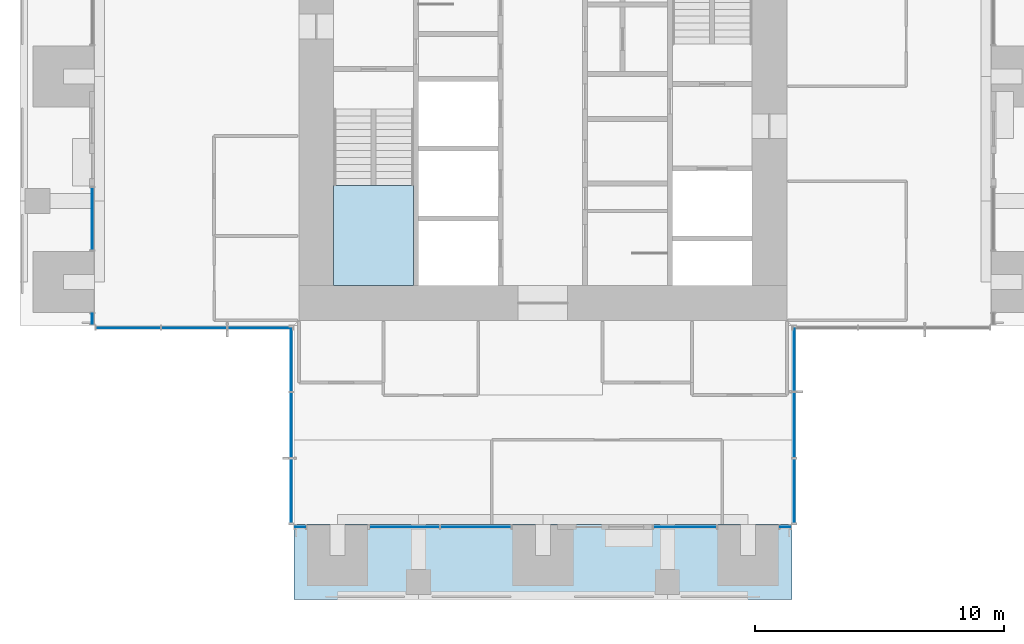
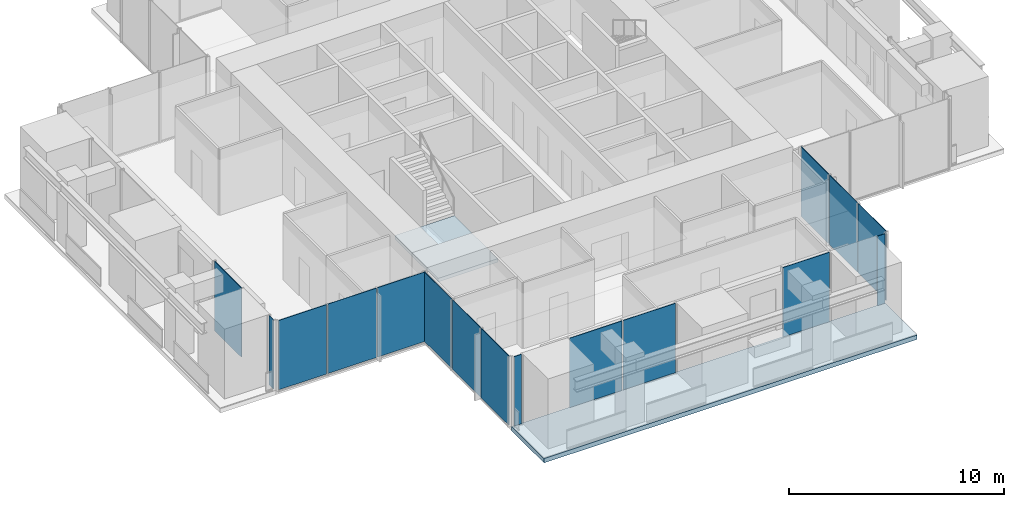
# One storey, part 7 of 17: 16 plates, 2 slabs, 10 elements without a shape of their own.
"""IFC4 building model written with IfcOpenShell, lengths in metres."""

import ifcopenshell
import ifcopenshell.guid

model = None  # the IFC model being written
_history = None  # IfcOwnerHistory: only IFC2X3 demands one
_inside = {}  # id of a spatial element -> (the spatial element, [elements in it])
_under = {}  # id of a project, library or spatial element -> (it, [spatial elements below it])
_declared = {}  # id of a project -> (the project, [libraries it declares])
_typed = {}  # id of a type object -> (the type object, [elements of that type])
_made_of = {}  # id of a material, layer set ... -> (it, [elements and type objects made of it])


def new_model(schema):
    """Start an empty IFC model of exactly this schema.

    Asked for "IFC4X3", IfcOpenShell would pick the latest addendum, in which some entities
    have other attributes; the version numbers below select the first issue.
    IFC2X3 requires an IfcOwnerHistory on every rooted entity: one is made here for all.
    """
    global model, _history
    if schema == "IFC4X3":
        model = ifcopenshell.file(schema_version=(4, 3, 0, 0))
    else:
        model = ifcopenshell.file(schema=schema)
    _inside.clear()
    _under.clear()
    _declared.clear()
    _typed.clear()
    _made_of.clear()
    _history = None
    if model.schema == "IFC2X3":
        org = make("IfcOrganization", Name="unknown")
        user = make(
            "IfcPersonAndOrganization",
            ThePerson=make("IfcPerson", FamilyName="unknown"),
            TheOrganization=org,
        )
        app = make(
            "IfcApplication",
            ApplicationDeveloper=org,
            Version="unknown",
            ApplicationFullName="unknown",
            ApplicationIdentifier="unknown",
        )
        _history = make(
            "IfcOwnerHistory",
            OwningUser=user,
            OwningApplication=app,
            ChangeAction="ADDED",
            CreationDate=0,
        )
    return model


def make(cls, **values):
    """One entity of the class cls with the attributes given. An attribute that is None is left unset."""
    return model.create_entity(
        cls, **{name: value for name, value in values.items() if value is not None}
    )


def rooted(cls, **values):
    """An entity with a GlobalId (a new one), such as an element, a storey or a relation."""
    return make(cls, GlobalId=ifcopenshell.guid.new(), OwnerHistory=_history, **values)


def si_unit(unit_type, name, prefix=None):
    """IfcSIUnit, for example si_unit("LENGTHUNIT", "METRE", prefix="MILLI")."""
    return make("IfcSIUnit", UnitType=unit_type, Prefix=prefix, Name=name)


def assignment(units):
    """IfcUnitAssignment: the units of a project."""
    return None if units is None else make("IfcUnitAssignment", Units=units)


def point(xyz):
    """IfcCartesianPoint."""
    return None if xyz is None else make("IfcCartesianPoint", Coordinates=xyz)


def direction(xyz):
    """IfcDirection."""
    return None if xyz is None else make("IfcDirection", DirectionRatios=xyz)


def frame(location, z_axis=None, x_axis=None):
    """IfcAxis2Placement3D, a coordinate frame: its origin and axes. An axis left out is left unset."""
    return make(
        "IfcAxis2Placement3D",
        Location=point(location),
        Axis=direction(z_axis),
        RefDirection=direction(x_axis),
    )


def frame_2d(location, x_axis=None):
    """IfcAxis2Placement2D, a coordinate frame in the plane: its origin and x axis."""
    return make(
        "IfcAxis2Placement2D", Location=point(location), RefDirection=direction(x_axis)
    )


def origin():
    """The frame at (0, 0, 0) with its axes left unset."""
    return frame((0.0, 0.0, 0.0))


def origin_2d():
    """The frame at (0, 0) in the plane with its x axis left unset."""
    return frame_2d((0.0, 0.0))


def place(relative_to, where):
    """IfcLocalPlacement: puts the frame where relative to a parent placement (None: the world)."""
    return make(
        "IfcLocalPlacement", PlacementRelTo=relative_to, RelativePlacement=where
    )


def context(
    kind, dimensions, precision=None, world=None, true_north=None, identifier=None
):
    """IfcGeometricRepresentationContext, for example the 3D "Model" context."""
    return make(
        "IfcGeometricRepresentationContext",
        ContextIdentifier=identifier,
        ContextType=kind,
        CoordinateSpaceDimension=dimensions,
        Precision=precision,
        WorldCoordinateSystem=world,
        TrueNorth=true_north,
    )


def subcontext(parent, identifier, kind, view, scale=None):
    """IfcGeometricRepresentationSubContext, for example "Body" below "Model"."""
    return make(
        "IfcGeometricRepresentationSubContext",
        ContextIdentifier=identifier,
        ContextType=kind,
        ParentContext=parent,
        TargetScale=scale,
        TargetView=view,
    )


def project(units=None, contexts=None):
    """IfcProject with its units and contexts."""
    return rooted(
        "IfcProject",
        Name="project",
        RepresentationContexts=contexts,
        UnitsInContext=assignment(units),
    )


def spatial(cls, under=None, at=None, **own):
    """A site, building, storey or space (cls), placed at a placement, below another one or the project."""
    s = rooted(cls, ObjectPlacement=at, **own)
    if under is not None:
        _under.setdefault(under.id(), (under, []))[1].append(s)
    return s


def polyline(points):
    """IfcPolyline through the points."""
    return make("IfcPolyline", Points=[point(p) for p in points])


def profile(cls, at=None, kind="AREA", **sizes):
    """A parametric profile (cls). Its sizes go by their IFC names, for example OverallWidth=200.0."""
    return make(cls, ProfileType=kind, Position=at, **sizes)


def rectangle(**sizes):
    """IfcRectangleProfileDef."""
    return profile("IfcRectangleProfileDef", **sizes)


def outline(outer, holes=None, kind="AREA"):
    """IfcArbitraryClosedProfileDef: a profile drawn as a closed curve; with holes, ...WithVoids."""
    if holes is None:
        return make("IfcArbitraryClosedProfileDef", ProfileType=kind, OuterCurve=outer)
    return make(
        "IfcArbitraryProfileDefWithVoids",
        ProfileType=kind,
        OuterCurve=outer,
        InnerCurves=holes,
    )


def extrude(swept, where, along, depth):
    """IfcExtrudedAreaSolid: the profile swept, set in the frame where, extruded along a direction by depth."""
    return make(
        "IfcExtrudedAreaSolid",
        SweptArea=swept,
        Position=where,
        ExtrudedDirection=direction(along),
        Depth=depth,
    )


def shape(context_of_items, identifier, shape_type, items):
    """IfcShapeRepresentation: the items that make up one representation, for example the "Body"."""
    return make(
        "IfcShapeRepresentation",
        ContextOfItems=context_of_items,
        RepresentationIdentifier=identifier,
        RepresentationType=shape_type,
        Items=items,
    )


def material(Name=None, Category=None):
    """IfcMaterial."""
    return make("IfcMaterial", Name=Name, Category=Category)


def layer(
    of_material, thickness, ventilated=None, Name=None, Category=None, Priority=None
):
    """IfcMaterialLayer: one layer of a wall or slab, of a material (None: an air gap)."""
    return make(
        "IfcMaterialLayer",
        Material=of_material,
        LayerThickness=thickness,
        IsVentilated=ventilated,
        Name=Name,
        Category=Category,
        Priority=Priority,
    )


def layer_set(layers, Name=None):
    """IfcMaterialLayerSet."""
    return make("IfcMaterialLayerSet", MaterialLayers=layers, LayerSetName=Name)


def made_of(thing, what):
    """Note that an element or type object is made of a material, layer set ...; save() writes the relation."""
    if what is not None:
        _made_of.setdefault(what.id(), (what, []))[1].append(thing)
    return thing


def type_object(cls, material=None, **own):
    """A type object (cls), such as IfcWallType, which elements share."""
    return made_of(rooted(cls, **own), material)


def element(
    cls,
    number,
    at=None,
    inside=None,
    cuts=None,
    type_object=None,
    material=None,
    context=None,
    identifier="Body",
    shape_type=None,
    held_by="IfcProductDefinitionShape",
    body=None,
    shapes=None,
    **own,
):
    """One element of the class cls, such as IfcWall. Its Tag is "e" and its number.

    at: its placement. inside: the storey or other place that contains it. cuts: it is an
    opening in that element (IfcRelVoidsElement). A single representation is given by context,
    identifier, shape_type and body (its items); several are given by shapes. held_by: the class
    of the entity that holds the representations. save() writes the other relations.
    """
    e = rooted(cls, Tag="e%d" % number, ObjectPlacement=at, **own)
    if body is not None:
        shapes = [shape(context, identifier, shape_type, body)]
    if shapes is not None:
        e.Representation = make(held_by, Representations=shapes)
    if inside is not None:
        _inside.setdefault(inside.id(), (inside, []))[1].append(e)
    if cuts is not None:
        rooted(
            "IfcRelVoidsElement", RelatingBuildingElement=cuts, RelatedOpeningElement=e
        )
    if type_object is not None:
        _typed.setdefault(type_object.id(), (type_object, []))[1].append(e)
    return made_of(e, material)


def aggregate(whole, parts):
    """IfcRelAggregates: a whole, such as a stair, and the parts it consists of."""
    return rooted("IfcRelAggregates", RelatingObject=whole, RelatedObjects=parts)


def save(model, path):
    """Write the relations noted so far, then the file.

    IfcRelAggregates (storeys below a building ...), IfcRelContainedInSpatialStructure (elements
    in a storey), IfcRelDefinesByType, IfcRelAssociatesMaterial and IfcRelDeclares: one each for
    every whole, place, type object, material and project.
    """
    for whole, parts in _under.values():
        aggregate(whole, parts)
    for where, things in _inside.values():
        rooted(
            "IfcRelContainedInSpatialStructure",
            RelatedElements=things,
            RelatingStructure=where,
        )
    for kind, things in _typed.values():
        rooted("IfcRelDefinesByType", RelatedObjects=things, RelatingType=kind)
    for what, things in _made_of.values():
        rooted("IfcRelAssociatesMaterial", RelatedObjects=things, RelatingMaterial=what)
    for by, libraries in _declared.values():
        rooted("IfcRelDeclares", RelatingContext=by, RelatedDefinitions=libraries)
    model.write(path)


model = new_model("IFC4")

# Units and contexts
model_context = context("Model", 3, precision=1e-05, world=origin(), true_north=direction((0.0, 1.0)))
body_context = subcontext(model_context, "Body", "Model", "MODEL_VIEW")
ifc_project = project(units=[si_unit("LENGTHUNIT", "METRE"), si_unit("AREAUNIT", "SQUARE_METRE"), si_unit("VOLUMEUNIT", "CUBIC_METRE"), si_unit("PLANEANGLEUNIT", "RADIAN"), si_unit("MASSUNIT", "GRAM", prefix="KILO")], contexts=[model_context])

# Site, building, storey
site_placement = place(None, origin())
site = spatial("IfcSite", under=ifc_project, at=site_placement, CompositionType="ELEMENT")
building_placement = place(site_placement, origin())
building = spatial("IfcBuilding", under=site, at=building_placement, Name="Svetlomir Tower", CompositionType="ELEMENT")
storey_placement = place(building_placement, frame((0.0, 0.0, 194.5)))
storey = spatial("IfcBuildingStorey", under=building, at=storey_placement, Name="L46", CompositionType="ELEMENT", Elevation=194.5)

# Curtain wall, plate
ifc_material_1 = material(Name="Bronze anodised aluminium curtain wall", Category="aluminium")
curtain_wall_type = type_object("IfcCurtainWallType", Name="CURTAIN WALL CW1 TOWER OFFICE", PredefinedType="NOTDEFINED", material=ifc_material_1)
curtain_wall_1_placement = place(storey_placement, origin())
curtain_wall_1 = element("IfcCurtainWall", 1, at=curtain_wall_1_placement, inside=storey, type_object=curtain_wall_type, Name="Curtain wall CW1 L46", PredefinedType="NOTDEFINED")
ifc_material_2 = material(Name="Tinted double glazed unit", Category="glass")
ifc_layer_1 = layer(ifc_material_2, 0.031982421875)
ifc_layer_set_1 = layer_set([ifc_layer_1], Name="Tinted double glazed unit")
plate_type = type_object("IfcPlateType", Name="CW1 GLAZED PANEL 32", PredefinedType="CURTAIN_PANEL", material=ifc_layer_set_1)
plate_1_placement = place(storey_placement, frame((11.262451171875, 2.89990234375, 0.06494140625), z_axis=(0.0, 0.0, 1.0), x_axis=(1.0, 0.0, 0.0)))
plate_1 = element("IfcPlate", 2, at=plate_1_placement, type_object=plate_type, Name="CW1 panel 1.1", PredefinedType="CURTAIN_PANEL", context=body_context, shape_type="SweptSolid", body=[
    extrude(rectangle(XDim=0.39501953125, YDim=0.031982421875, at=origin_2d()), origin(), (0.0, 0.0, 1.0), 3.93505859375),
])
aggregate(curtain_wall_1, [plate_1])

# Curtain wall, plates
curtain_wall_2_placement = place(storey_placement, origin())
curtain_wall_2 = element("IfcCurtainWall", 3, at=curtain_wall_2_placement, inside=storey, type_object=curtain_wall_type, Name="Curtain wall CW1 L46", PredefinedType="NOTDEFINED")
plate_2_placement = place(storey_placement, frame((15.441162109375, 2.89990234375, 0.06494140625), z_axis=(0.0, 0.0, 1.0), x_axis=(1.0, 0.0, 0.0)))
plate_2 = element("IfcPlate", 4, at=plate_2_placement, type_object=plate_type, Name="CW1 panel 1.1", PredefinedType="CURTAIN_PANEL", context=body_context, shape_type="SweptSolid", body=[
    extrude(rectangle(XDim=2.802490234375, YDim=0.031982421875, at=origin_2d()), origin(), (0.0, 0.0, 1.0), 3.93505859375),
])
plate_3_placement = place(storey_placement, frame((18.308837890625, 2.89990234375, 0.06494140625), z_axis=(0.0, 0.0, 1.0), x_axis=(1.0, 0.0, 0.0)))
plate_3 = element("IfcPlate", 5, at=plate_3_placement, type_object=plate_type, Name="CW1 panel 2.1", PredefinedType="CURTAIN_PANEL", context=body_context, shape_type="SweptSolid", body=[
    extrude(rectangle(XDim=2.802490234375, YDim=0.031982421875, at=origin_2d()), origin(), (0.0, 0.0, 1.0), 3.93505859375),
])
aggregate(curtain_wall_2, [plate_2, plate_3])

# Curtain wall, plate
curtain_wall_3_placement = place(storey_placement, origin())
curtain_wall_3 = element("IfcCurtainWall", 6, at=curtain_wall_3_placement, inside=storey, type_object=curtain_wall_type, Name="Curtain wall CW1 L46", PredefinedType="NOTDEFINED")
plate_4_placement = place(storey_placement, frame((26.71240234375, 2.89990234375, 0.06494140625), z_axis=(0.0, 0.0, 1.0), x_axis=(1.0, 0.0, 0.0)))
plate_4 = element("IfcPlate", 7, at=plate_4_placement, type_object=plate_type, Name="CW1 panel 1.1", PredefinedType="CURTAIN_PANEL", context=body_context, shape_type="SweptSolid", body=[
    extrude(rectangle(XDim=2.4951171875, YDim=0.031982421875, at=origin_2d()), origin(), (0.0, 0.0, 1.0), 3.93505859375),
])
aggregate(curtain_wall_3, [plate_4])

curtain_wall_4_placement = place(storey_placement, origin())
curtain_wall_4 = element("IfcCurtainWall", 8, at=curtain_wall_4_placement, inside=storey, type_object=curtain_wall_type, Name="Curtain wall CW1 L46", PredefinedType="NOTDEFINED")
plate_5_placement = place(storey_placement, frame((30.737548828125, 2.89990234375, 0.06494140625), z_axis=(0.0, 0.0, 1.0), x_axis=(1.0, 0.0, 0.0)))
plate_5 = element("IfcPlate", 9, at=plate_5_placement, type_object=plate_type, Name="CW1 panel 1.1", PredefinedType="CURTAIN_PANEL", context=body_context, shape_type="SweptSolid", body=[
    extrude(rectangle(XDim=0.39501953125, YDim=0.031982421875, at=origin_2d()), origin(), (0.0, 0.0, 1.0), 3.93505859375),
])
aggregate(curtain_wall_4, [plate_5])

# Curtain wall, plates
curtain_wall_5_placement = place(storey_placement, origin())
curtain_wall_5 = element("IfcCurtainWall", 10, at=curtain_wall_5_placement, inside=storey, type_object=curtain_wall_type, Name="Curtain wall CW1 L46", PredefinedType="NOTDEFINED")
plate_6_placement = place(storey_placement, frame((31.10009765625, 4.349609375, 0.06494140625), z_axis=(0.0, 0.0, 1.0), x_axis=(0.0, 1.0, 0.0)))
plate_6 = element("IfcPlate", 11, at=plate_6_placement, type_object=plate_type, Name="CW1 panel 1.1", PredefinedType="CURTAIN_PANEL", context=body_context, shape_type="SweptSolid", body=[
    extrude(rectangle(XDim=2.569091796875, YDim=0.031982421875, at=origin_2d()), origin(), (0.0, 0.0, 1.0), 3.93505859375),
])
plate_7_placement = place(storey_placement, frame((31.10009765625, 7.0, 0.06494140625), z_axis=(0.0, 0.0, 1.0), x_axis=(0.0, 1.0, 0.0)))
plate_7 = element("IfcPlate", 12, at=plate_7_placement, type_object=plate_type, Name="CW1 panel 2.1", PredefinedType="CURTAIN_PANEL", context=body_context, shape_type="SweptSolid", body=[
    extrude(rectangle(XDim=2.6015625, YDim=0.031982421875, at=origin_2d()), origin(), (0.0, 0.0, 1.0), 3.93505859375),
])
plate_8_placement = place(storey_placement, frame((31.10009765625, 9.650390625, 0.06494140625), z_axis=(0.0, 0.0, 1.0), x_axis=(0.0, 1.0, 0.0)))
plate_8 = element("IfcPlate", 13, at=plate_8_placement, type_object=plate_type, Name="CW1 panel 3.1", PredefinedType="CURTAIN_PANEL", context=body_context, shape_type="SweptSolid", body=[
    extrude(rectangle(XDim=2.569091796875, YDim=0.031982421875, at=origin_2d()), origin(), (0.0, 0.0, 1.0), 3.93505859375),
])
aggregate(curtain_wall_5, [plate_6, plate_7, plate_8])

# Curtain wall, plate
curtain_wall_6_placement = place(storey_placement, origin())
curtain_wall_6 = element("IfcCurtainWall", 14, at=curtain_wall_6_placement, inside=storey, type_object=curtain_wall_type, Name="Curtain wall CW1 L46", PredefinedType="NOTDEFINED")
plate_9_placement = place(storey_placement, frame((2.89990234375, 15.28759765625, 0.06494140625), z_axis=(0.0, 0.0, 1.0), x_axis=(0.0, -1.0, 0.0)))
plate_9 = element("IfcPlate", 15, at=plate_9_placement, type_object=plate_type, Name="CW1 panel 1.1", PredefinedType="CURTAIN_PANEL", context=body_context, shape_type="SweptSolid", body=[
    extrude(rectangle(XDim=2.4951171875, YDim=0.031982421875, at=origin_2d()), origin(), (0.0, 0.0, 1.0), 3.93505859375),
])
aggregate(curtain_wall_6, [plate_9])

curtain_wall_7_placement = place(storey_placement, origin())
curtain_wall_7 = element("IfcCurtainWall", 16, at=curtain_wall_7_placement, inside=storey, type_object=curtain_wall_type, Name="Curtain wall CW1 L46", PredefinedType="NOTDEFINED")
plate_10_placement = place(storey_placement, frame((2.89990234375, 11.262451171875, 0.06494140625), z_axis=(0.0, 0.0, 1.0), x_axis=(0.0, -1.0, 0.0)))
plate_10 = element("IfcPlate", 17, at=plate_10_placement, type_object=plate_type, Name="CW1 panel 1.1", PredefinedType="CURTAIN_PANEL", context=body_context, shape_type="SweptSolid", body=[
    extrude(rectangle(XDim=0.39501953125, YDim=0.031982421875, at=origin_2d()), origin(), (0.0, 0.0, 1.0), 3.93505859375),
])
aggregate(curtain_wall_7, [plate_10])

# Curtain wall, plates
curtain_wall_8_placement = place(storey_placement, origin())
curtain_wall_8 = element("IfcCurtainWall", 18, at=curtain_wall_8_placement, inside=storey, type_object=curtain_wall_type, Name="Curtain wall CW1 L46", PredefinedType="NOTDEFINED")
plate_11_placement = place(storey_placement, frame((4.349609375, 10.89990234375, 0.06494140625), z_axis=(0.0, 0.0, 1.0), x_axis=(1.0, 0.0, 0.0)))
plate_11 = element("IfcPlate", 19, at=plate_11_placement, type_object=plate_type, Name="CW1 panel 1.1", PredefinedType="CURTAIN_PANEL", context=body_context, shape_type="SweptSolid", body=[
    extrude(rectangle(XDim=2.569091796875, YDim=0.031982421875, at=origin_2d()), origin(), (0.0, 0.0, 1.0), 3.93505859375),
])
plate_12_placement = place(storey_placement, frame((7.0, 10.89990234375, 0.06494140625), z_axis=(0.0, 0.0, 1.0), x_axis=(1.0, 0.0, 0.0)))
plate_12 = element("IfcPlate", 20, at=plate_12_placement, type_object=plate_type, Name="CW1 panel 2.1", PredefinedType="CURTAIN_PANEL", context=body_context, shape_type="SweptSolid", body=[
    extrude(rectangle(XDim=2.6015625, YDim=0.031982421875, at=origin_2d()), origin(), (0.0, 0.0, 1.0), 3.93505859375),
])
plate_13_placement = place(storey_placement, frame((9.650390625, 10.89990234375, 0.06494140625), z_axis=(0.0, 0.0, 1.0), x_axis=(1.0, 0.0, 0.0)))
plate_13 = element("IfcPlate", 21, at=plate_13_placement, type_object=plate_type, Name="CW1 panel 3.1", PredefinedType="CURTAIN_PANEL", context=body_context, shape_type="SweptSolid", body=[
    extrude(rectangle(XDim=2.569091796875, YDim=0.031982421875, at=origin_2d()), origin(), (0.0, 0.0, 1.0), 3.93505859375),
])
aggregate(curtain_wall_8, [plate_11, plate_12, plate_13])

curtain_wall_9_placement = place(storey_placement, origin())
curtain_wall_9 = element("IfcCurtainWall", 22, at=curtain_wall_9_placement, inside=storey, type_object=curtain_wall_type, Name="Curtain wall CW1 L46", PredefinedType="NOTDEFINED")
plate_14_placement = place(storey_placement, frame((10.89990234375, 9.650390625, 0.06494140625), z_axis=(0.0, 0.0, 1.0), x_axis=(0.0, -1.0, 0.0)))
plate_14 = element("IfcPlate", 23, at=plate_14_placement, type_object=plate_type, Name="CW1 panel 1.1", PredefinedType="CURTAIN_PANEL", context=body_context, shape_type="SweptSolid", body=[
    extrude(rectangle(XDim=2.569091796875, YDim=0.031982421875, at=origin_2d()), origin(), (0.0, 0.0, 1.0), 3.93505859375),
])
plate_15_placement = place(storey_placement, frame((10.89990234375, 7.0, 0.06494140625), z_axis=(0.0, 0.0, 1.0), x_axis=(0.0, -1.0, 0.0)))
plate_15 = element("IfcPlate", 24, at=plate_15_placement, type_object=plate_type, Name="CW1 panel 2.1", PredefinedType="CURTAIN_PANEL", context=body_context, shape_type="SweptSolid", body=[
    extrude(rectangle(XDim=2.6015625, YDim=0.031982421875, at=origin_2d()), origin(), (0.0, 0.0, 1.0), 3.93505859375),
])
plate_16_placement = place(storey_placement, frame((10.89990234375, 4.349609375, 0.06494140625), z_axis=(0.0, 0.0, 1.0), x_axis=(0.0, -1.0, 0.0)))
plate_16 = element("IfcPlate", 25, at=plate_16_placement, type_object=plate_type, Name="CW1 panel 3.1", PredefinedType="CURTAIN_PANEL", context=body_context, shape_type="SweptSolid", body=[
    extrude(rectangle(XDim=2.569091796875, YDim=0.031982421875, at=origin_2d()), origin(), (0.0, 0.0, 1.0), 3.93505859375),
])
aggregate(curtain_wall_9, [plate_14, plate_15, plate_16])

# Slab
ifc_material_3 = material(Name="Concrete C60/75", Category="concrete")
ifc_layer_2 = layer(ifc_material_3, 0.25)
ifc_layer_set_2 = layer_set([ifc_layer_2], Name="Concrete C60/75")
slab_type_1 = type_object("IfcSlabType", Name="PLANTED LOGGIA SLAB 250", PredefinedType="FLOOR", material=ifc_layer_set_2)
slab_1_placement = place(storey_placement, frame((0.0, 0.0, -0.25)))
element("IfcSlab", 26, at=slab_1_placement, inside=storey, type_object=slab_type_1, Name="L46 S planted loggia", PredefinedType="FLOOR", context=body_context, shape_type="SweptSolid", body=[
    extrude(outline(polyline([(11.0, 0.0), (31.0, 0.0), (31.0, 3.0), (11.0, 3.0), (11.0, 0.0)])), origin(), (0.0, 0.0, 1.0), 0.25),
])

# Stair, slab
ifc_material_4 = material(Name="Concrete C60/75", Category="concrete")
stair_type = type_object("IfcStairType", Name="EXIT STAIR 3200 RISE 4000", PredefinedType="HALF_TURN_STAIR", material=ifc_material_4)
stair_placement = place(storey_placement, origin())
stair = element("IfcStair", 27, at=stair_placement, inside=storey, type_object=stair_type, Name="Stair S1 L46 to L47", PredefinedType="HALF_TURN_STAIR")
ifc_material_5 = material(Name="Concrete C60/75", Category="concrete")
ifc_layer_3 = layer(ifc_material_5, 0.199951171875)
ifc_layer_set_3 = layer_set([ifc_layer_3], Name="Concrete C60/75")
slab_type_2 = type_object("IfcSlabType", Name="STAIR LANDING 200", PredefinedType="LANDING", material=ifc_layer_set_3)
slab_2_placement = place(storey_placement, frame((0.0, 0.0, 1.800048828125)))
slab_2 = element("IfcSlab", 28, at=slab_2_placement, type_object=slab_type_2, Name="S1 landing 1", PredefinedType="LANDING", context=body_context, shape_type="SweptSolid", body=[
    extrude(outline(polyline([(12.60009765625, 12.60009765625), (15.800048828125, 12.60009765625), (15.800048828125, 16.6201171875), (12.60009765625, 16.6201171875), (12.60009765625, 12.60009765625)])), origin(), (0.0, 0.0, 1.0), 0.199951171875),
])
aggregate(stair, [slab_2])

save(model, "model.ifc")
